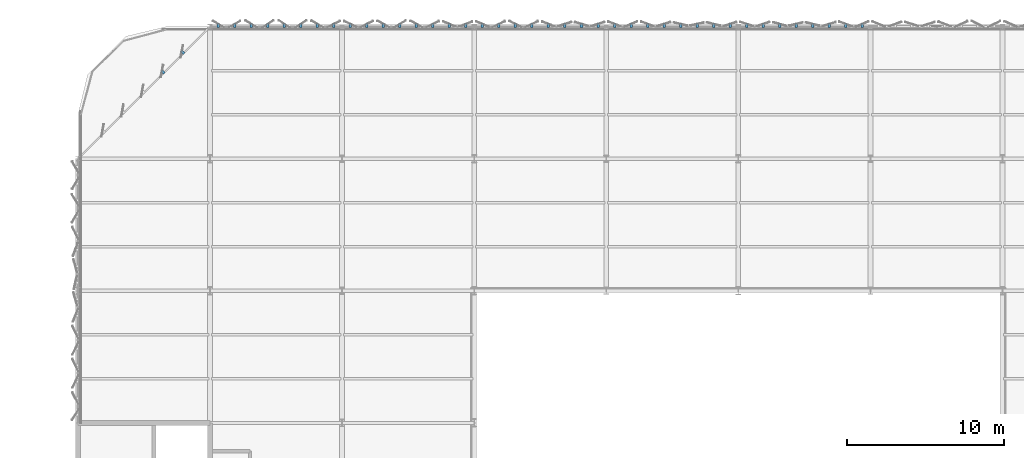
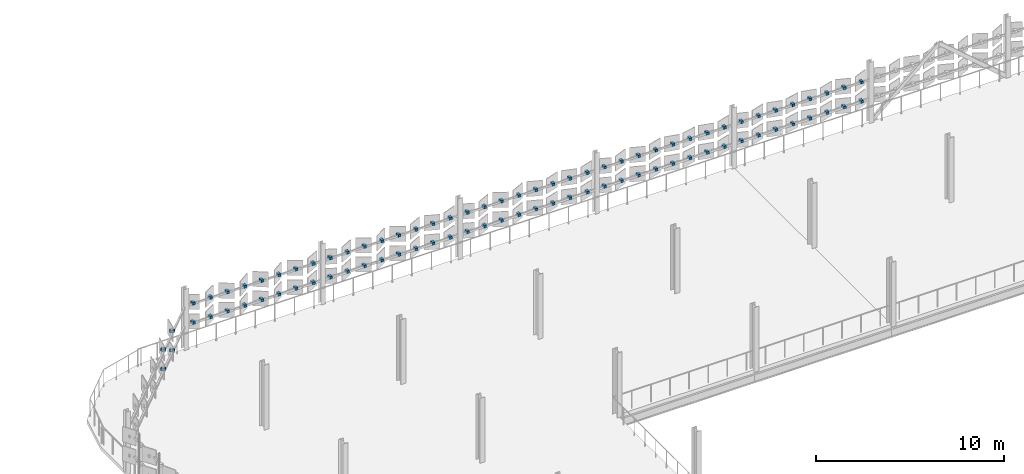
# One storey, part 59 of 69: 84 discrete accessories.
"""IFC4 building model written with IfcOpenShell, lengths in metres."""

from ifc_helpers import new_model, si_unit, direction, frame, origin, origin_2d, place, context, subcontext, project, spatial, rectangle, extrude, material, type_object, element, save


model = new_model("IFC4")

# Units and contexts
model_context = context("Model", 3, precision=1e-05, world=origin(), true_north=direction((0.0, 1.0)))
body_context = subcontext(model_context, "Body", "Model", "MODEL_VIEW")
ifc_project = project(units=[si_unit("LENGTHUNIT", "METRE"), si_unit("AREAUNIT", "SQUARE_METRE"), si_unit("VOLUMEUNIT", "CUBIC_METRE"), si_unit("PLANEANGLEUNIT", "RADIAN"), si_unit("MASSUNIT", "GRAM", prefix="KILO")], contexts=[model_context])

# Site, building, storey
site_placement = place(None, origin())
site = spatial("IfcSite", under=ifc_project, at=site_placement, CompositionType="ELEMENT")
building_placement = place(site_placement, origin())
building = spatial("IfcBuilding", under=site, at=building_placement, Name="Qalvenar Corner Mobility Hub", CompositionType="ELEMENT")
storey_placement = place(building_placement, frame((0.0, 0.0, 13.199951171875)))
storey = spatial("IfcBuildingStorey", under=building, at=storey_placement, Name="L03", CompositionType="ELEMENT", Elevation=13.199951171875)

# Discrete accessories
ifc_material = material(Name="Steel S355", Category="steel")
discrete_accessory_type = type_object("IfcDiscreteAccessoryType", Name="ACC-HINGE-BRK", PredefinedType="BRACKET", material=ifc_material)
for number, where, z_axis, x_axis, name in (
    (1, (108.675048828125, 117.679931640625, 1.419921875), (0.0, 0.0, 1.0), (-1.0, 0.0, 0.0), "Panel Hinge Bracket BK-L03-0897"),
    (2, (108.675048828125, 117.679931640625, 2.669921875), (0.0, 0.0, 1.0), (-1.0, 0.0, 0.0), "Panel Hinge Bracket BK-L03-0898"),
    (3, (107.625, 117.679931640625, 1.419921875), (0.0, 0.0, 1.0), (-1.0, 0.0, 0.0), "Panel Hinge Bracket BK-L03-0899"),
    (4, (107.625, 117.679931640625, 2.669921875), (0.0, 0.0, 1.0), (-1.0, 0.0, 0.0), "Panel Hinge Bracket BK-L03-0900"),
    (5, (106.574951171875, 117.679931640625, 1.419921875), (0.0, 0.0, 1.0), (-1.0, 0.0, 0.0), "Panel Hinge Bracket BK-L03-0901"),
    (6, (106.574951171875, 117.679931640625, 2.669921875), (0.0, 0.0, 1.0), (-1.0, 0.0, 0.0), "Panel Hinge Bracket BK-L03-0902"),
    (7, (105.52490234375, 117.679931640625, 1.419921875), (0.0, 0.0, 1.0), (-1.0, 0.0, 0.0), "Panel Hinge Bracket BK-L03-0903"),
    (8, (105.52490234375, 117.679931640625, 2.669921875), (0.0, 0.0, 1.0), (-1.0, 0.0, 0.0), "Panel Hinge Bracket BK-L03-0904"),
    (9, (104.47509765625, 117.679931640625, 1.419921875), (0.0, 0.0, 1.0), (-1.0, 0.0, 0.0), "Panel Hinge Bracket BK-L03-0905"),
    (10, (104.47509765625, 117.679931640625, 2.669921875), (0.0, 0.0, 1.0), (-1.0, 0.0, 0.0), "Panel Hinge Bracket BK-L03-0906"),
    (11, (103.425048828125, 117.679931640625, 1.419921875), (0.0, 0.0, 1.0), (-1.0, 0.0, 0.0), "Panel Hinge Bracket BK-L03-0907"),
    (12, (103.425048828125, 117.679931640625, 2.669921875), (0.0, 0.0, 1.0), (-1.0, 0.0, 0.0), "Panel Hinge Bracket BK-L03-0908"),
    (13, (102.375, 117.679931640625, 1.419921875), (0.0, 0.0, 1.0), (-1.0, 0.0, 0.0), "Panel Hinge Bracket BK-L03-0909"),
    (14, (102.375, 117.679931640625, 2.669921875), (0.0, 0.0, 1.0), (-1.0, 0.0, 0.0), "Panel Hinge Bracket BK-L03-0910"),
    (15, (101.324951171875, 117.679931640625, 1.419921875), (0.0, 0.0, 1.0), (-1.0, 0.0, 0.0), "Panel Hinge Bracket BK-L03-0911"),
    (16, (101.324951171875, 117.679931640625, 2.669921875), (0.0, 0.0, 1.0), (-1.0, 0.0, 0.0), "Panel Hinge Bracket BK-L03-0912"),
    (17, (100.27490234375, 117.679931640625, 1.419921875), (0.0, 0.0, 1.0), (-1.0, 0.0, 0.0), "Panel Hinge Bracket BK-L03-0913"),
    (18, (100.27490234375, 117.679931640625, 2.669921875), (0.0, 0.0, 1.0), (-1.0, 0.0, 0.0), "Panel Hinge Bracket BK-L03-0914"),
    (19, (99.22509765625, 117.679931640625, 1.419921875), (0.0, 0.0, 1.0), (-1.0, 0.0, 0.0), "Panel Hinge Bracket BK-L03-0915"),
    (20, (99.22509765625, 117.679931640625, 2.669921875), (0.0, 0.0, 1.0), (-1.0, 0.0, 0.0), "Panel Hinge Bracket BK-L03-0916"),
    (21, (98.175048828125, 117.679931640625, 1.419921875), (0.0, 0.0, 1.0), (-1.0, 0.0, 0.0), "Panel Hinge Bracket BK-L03-0917"),
    (22, (98.175048828125, 117.679931640625, 2.669921875), (0.0, 0.0, 1.0), (-1.0, 0.0, 0.0), "Panel Hinge Bracket BK-L03-0918"),
    (23, (97.125, 117.679931640625, 1.419921875), (0.0, 0.0, 1.0), (-1.0, 0.0, 0.0), "Panel Hinge Bracket BK-L03-0919"),
    (24, (97.125, 117.679931640625, 2.669921875), (0.0, 0.0, 1.0), (-1.0, 0.0, 0.0), "Panel Hinge Bracket BK-L03-0920"),
    (25, (96.074951171875, 117.679931640625, 1.419921875), (0.0, 0.0, 1.0), (-1.0, 0.0, 0.0), "Panel Hinge Bracket BK-L03-0921"),
    (26, (96.074951171875, 117.679931640625, 2.669921875), (0.0, 0.0, 1.0), (-1.0, 0.0, 0.0), "Panel Hinge Bracket BK-L03-0922"),
    (27, (95.02490234375, 117.679931640625, 1.419921875), (0.0, 0.0, 1.0), (-1.0, 0.0, 0.0), "Panel Hinge Bracket BK-L03-0923"),
    (28, (95.02490234375, 117.679931640625, 2.669921875), (0.0, 0.0, 1.0), (-1.0, 0.0, 0.0), "Panel Hinge Bracket BK-L03-0924"),
    (29, (93.97509765625, 117.679931640625, 1.419921875), (0.0, 0.0, 1.0), (-1.0, 0.0, 0.0), "Panel Hinge Bracket BK-L03-0925"),
    (30, (93.97509765625, 117.679931640625, 2.669921875), (0.0, 0.0, 1.0), (-1.0, 0.0, 0.0), "Panel Hinge Bracket BK-L03-0926"),
    (31, (92.925048828125, 117.679931640625, 1.419921875), (0.0, 0.0, 1.0), (-1.0, 0.0, 0.0), "Panel Hinge Bracket BK-L03-0927"),
    (32, (92.925048828125, 117.679931640625, 2.669921875), (0.0, 0.0, 1.0), (-1.0, 0.0, 0.0), "Panel Hinge Bracket BK-L03-0928"),
    (33, (91.875, 117.679931640625, 1.419921875), (0.0, 0.0, 1.0), (-1.0, 0.0, 0.0), "Panel Hinge Bracket BK-L03-0929"),
    (34, (91.875, 117.679931640625, 2.669921875), (0.0, 0.0, 1.0), (-1.0, 0.0, 0.0), "Panel Hinge Bracket BK-L03-0930"),
    (35, (90.824951171875, 117.679931640625, 1.419921875), (0.0, 0.0, 1.0), (-1.0, 0.0, 0.0), "Panel Hinge Bracket BK-L03-0931"),
    (36, (90.824951171875, 117.679931640625, 2.669921875), (0.0, 0.0, 1.0), (-1.0, 0.0, 0.0), "Panel Hinge Bracket BK-L03-0932"),
    (37, (89.77490234375, 117.679931640625, 1.419921875), (0.0, 0.0, 1.0), (-1.0, 0.0, 0.0), "Panel Hinge Bracket BK-L03-0933"),
    (38, (89.77490234375, 117.679931640625, 2.669921875), (0.0, 0.0, 1.0), (-1.0, 0.0, 0.0), "Panel Hinge Bracket BK-L03-0934"),
    (39, (88.72509765625, 117.679931640625, 1.419921875), (0.0, 0.0, 1.0), (-1.0, 0.0, 0.0), "Panel Hinge Bracket BK-L03-0935"),
    (40, (88.72509765625, 117.679931640625, 2.669921875), (0.0, 0.0, 1.0), (-1.0, 0.0, 0.0), "Panel Hinge Bracket BK-L03-0936"),
    (41, (87.675048828125, 117.679931640625, 1.419921875), (0.0, 0.0, 1.0), (-1.0, 0.0, 0.0), "Panel Hinge Bracket BK-L03-0937"),
    (42, (87.675048828125, 117.679931640625, 2.669921875), (0.0, 0.0, 1.0), (-1.0, 0.0, 0.0), "Panel Hinge Bracket BK-L03-0938"),
    (43, (86.625, 117.679931640625, 1.419921875), (0.0, 0.0, 1.0), (-1.0, 0.0, 0.0), "Panel Hinge Bracket BK-L03-0939"),
    (44, (86.625, 117.679931640625, 2.669921875), (0.0, 0.0, 1.0), (-1.0, 0.0, 0.0), "Panel Hinge Bracket BK-L03-0940"),
    (45, (85.574951171875, 117.679931640625, 1.419921875), (0.0, 0.0, 1.0), (-1.0, 0.0, 0.0), "Panel Hinge Bracket BK-L03-0941"),
    (46, (85.574951171875, 117.679931640625, 2.669921875), (0.0, 0.0, 1.0), (-1.0, 0.0, 0.0), "Panel Hinge Bracket BK-L03-0942"),
    (47, (84.52490234375, 117.679931640625, 1.419921875), (0.0, 0.0, 1.0), (-1.0, 0.0, 0.0), "Panel Hinge Bracket BK-L03-0943"),
    (48, (84.52490234375, 117.679931640625, 2.669921875), (0.0, 0.0, 1.0), (-1.0, 0.0, 0.0), "Panel Hinge Bracket BK-L03-0944"),
    (49, (83.47509765625, 117.679931640625, 1.419921875), (0.0, 0.0, 1.0), (-1.0, 0.0, 0.0), "Panel Hinge Bracket BK-L03-0945"),
    (50, (83.47509765625, 117.679931640625, 2.669921875), (0.0, 0.0, 1.0), (-1.0, 0.0, 0.0), "Panel Hinge Bracket BK-L03-0946"),
    (51, (82.425048828125, 117.679931640625, 1.419921875), (0.0, 0.0, 1.0), (-1.0, 0.0, 0.0), "Panel Hinge Bracket BK-L03-0947"),
    (52, (82.425048828125, 117.679931640625, 2.669921875), (0.0, 0.0, 1.0), (-1.0, 0.0, 0.0), "Panel Hinge Bracket BK-L03-0948"),
    (53, (81.375, 117.679931640625, 1.419921875), (0.0, 0.0, 1.0), (-1.0, 0.0, 0.0), "Panel Hinge Bracket BK-L03-0949"),
    (54, (81.375, 117.679931640625, 2.669921875), (0.0, 0.0, 1.0), (-1.0, 0.0, 0.0), "Panel Hinge Bracket BK-L03-0950"),
    (55, (80.324951171875, 117.679931640625, 1.419921875), (0.0, 0.0, 1.0), (-1.0, 0.0, 0.0), "Panel Hinge Bracket BK-L03-0951"),
    (56, (80.324951171875, 117.679931640625, 2.669921875), (0.0, 0.0, 1.0), (-1.0, 0.0, 0.0), "Panel Hinge Bracket BK-L03-0952"),
    (57, (79.27490234375, 117.679931640625, 1.419921875), (0.0, 0.0, 1.0), (-1.0, 0.0, 0.0), "Panel Hinge Bracket BK-L03-0953"),
    (58, (79.27490234375, 117.679931640625, 2.669921875), (0.0, 0.0, 1.0), (-1.0, 0.0, 0.0), "Panel Hinge Bracket BK-L03-0954"),
    (59, (78.22509765625, 117.679931640625, 1.419921875), (0.0, 0.0, 1.0), (-1.0, 0.0, 0.0), "Panel Hinge Bracket BK-L03-0955"),
    (60, (78.22509765625, 117.679931640625, 2.669921875), (0.0, 0.0, 1.0), (-1.0, 0.0, 0.0), "Panel Hinge Bracket BK-L03-0956"),
    (61, (77.175048828125, 117.679931640625, 1.419921875), (0.0, 0.0, 1.0), (-1.0, 0.0, 0.0), "Panel Hinge Bracket BK-L03-0957"),
    (62, (77.175048828125, 117.679931640625, 2.669921875), (0.0, 0.0, 1.0), (-1.0, 0.0, 0.0), "Panel Hinge Bracket BK-L03-0958"),
    (63, (76.125, 117.679931640625, 1.419921875), (0.0, 0.0, 1.0), (-1.0, 0.0, 0.0), "Panel Hinge Bracket BK-L03-0959"),
    (64, (76.125, 117.679931640625, 2.669921875), (0.0, 0.0, 1.0), (-1.0, 0.0, 0.0), "Panel Hinge Bracket BK-L03-0960"),
    (65, (75.074951171875, 117.679931640625, 1.419921875), (0.0, 0.0, 1.0), (-1.0, 0.0, 0.0), "Panel Hinge Bracket BK-L03-0961"),
    (66, (75.074951171875, 117.679931640625, 2.669921875), (0.0, 0.0, 1.0), (-1.0, 0.0, 0.0), "Panel Hinge Bracket BK-L03-0962"),
    (67, (74.02490234375, 117.679931640625, 1.419921875), (0.0, 0.0, 1.0), (-1.0, 0.0, 0.0), "Panel Hinge Bracket BK-L03-0963"),
    (68, (74.02490234375, 117.679931640625, 2.669921875), (0.0, 0.0, 1.0), (-1.0, 0.0, 0.0), "Panel Hinge Bracket BK-L03-0964"),
    (69, (72.97509765625, 117.679931640625, 1.419921875), (0.0, 0.0, 1.0), (-1.0, 0.0, 0.0), "Panel Hinge Bracket BK-L03-0965"),
    (70, (72.97509765625, 117.679931640625, 2.669921875), (0.0, 0.0, 1.0), (-1.0, 0.0, 0.0), "Panel Hinge Bracket BK-L03-0966"),
    (71, (71.925048828125, 117.679931640625, 1.419921875), (0.0, 0.0, 1.0), (-1.0, 0.0, 0.0), "Panel Hinge Bracket BK-L03-0967"),
    (72, (71.925048828125, 117.679931640625, 2.669921875), (0.0, 0.0, 1.0), (-1.0, 0.0, 0.0), "Panel Hinge Bracket BK-L03-0968"),
    (73, (70.875, 117.679931640625, 1.419921875), (0.0, 0.0, 1.0), (-1.0, 0.0, 0.0), "Panel Hinge Bracket BK-L03-0969"),
    (74, (70.875, 117.679931640625, 2.669921875), (0.0, 0.0, 1.0), (-1.0, 0.0, 0.0), "Panel Hinge Bracket BK-L03-0970"),
    (75, (69.824951171875, 117.679931640625, 1.419921875), (0.0, 0.0, 1.0), (-1.0, 0.0, 0.0), "Panel Hinge Bracket BK-L03-0971"),
    (76, (69.824951171875, 117.679931640625, 2.669921875), (0.0, 0.0, 1.0), (-1.0, 0.0, 0.0), "Panel Hinge Bracket BK-L03-0972"),
    (77, (68.77490234375, 117.679931640625, 1.419921875), (0.0, 0.0, 1.0), (-1.0, 0.0, 0.0), "Panel Hinge Bracket BK-L03-0973"),
    (78, (68.77490234375, 117.679931640625, 2.669921875), (0.0, 0.0, 1.0), (-1.0, 0.0, 0.0), "Panel Hinge Bracket BK-L03-0974"),
    (79, (67.72509765625, 117.679931640625, 1.419921875), (0.0, 0.0, 1.0), (-1.0, 0.0, 0.0), "Panel Hinge Bracket BK-L03-0975"),
    (80, (67.72509765625, 117.679931640625, 2.669921875), (0.0, 0.0, 1.0), (-1.0, 0.0, 0.0), "Panel Hinge Bracket BK-L03-0976"),
    (81, (65.46337890625, 115.9765625, 1.419921875), (0.0, 0.0, 1.0), (-0.707106781187, -0.707106781187, 0.0), "Corner Hinge Bracket BKC-L03-1071"),
    (82, (64.203369140625, 114.716552734375, 1.419921875), (0.0, 0.0, 1.0), (-0.707106781187, -0.707106781187, 0.0), "Corner Hinge Bracket BKC-L03-1072"),
    (83, (65.46337890625, 115.9765625, 2.669921875), (0.0, 0.0, 1.0), (-0.707106781187, -0.707106781187, 0.0), "Corner Hinge Bracket BKC-L03-1076"),
    (84, (64.203369140625, 114.716552734375, 2.669921875), (0.0, 0.0, 1.0), (-0.707106781187, -0.707106781187, 0.0), "Corner Hinge Bracket BKC-L03-1077"),
):
    element("IfcDiscreteAccessory", number, at=place(storey_placement, frame(where, z_axis=z_axis, x_axis=x_axis)), inside=storey, type_object=discrete_accessory_type, Name=name, PredefinedType="BRACKET", context=body_context, shape_type="SweptSolid", body=[
        extrude(rectangle(XDim=0.159912109375, YDim=0.260009765625, at=origin_2d()), origin(), (0.0, 0.0, 1.0), 0.159912109375),
    ])

save(model, "model.ifc")
